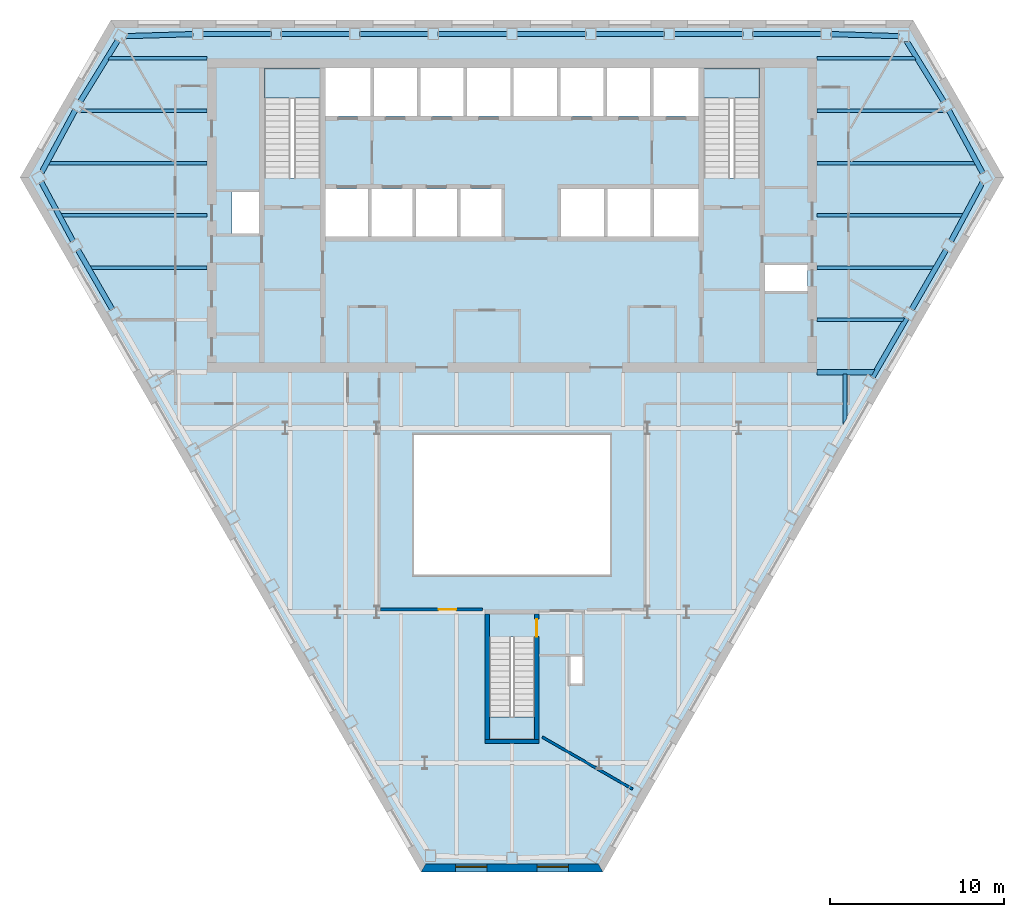
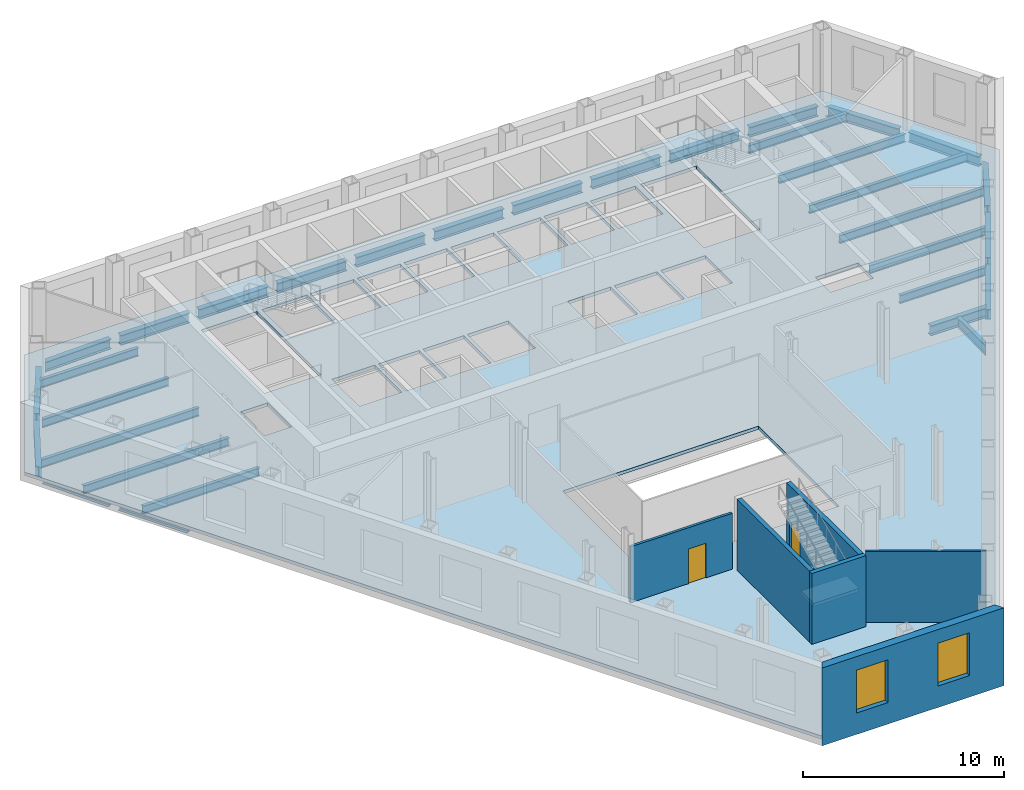
# One storey, part 3 of 11: 32 beams, 6 walls, 4 slabs, 2 doors, 2 windows, 4 openings, 3 elements without a shape of their own.
"""IFC4 building model written with IfcOpenShell, lengths in metres."""

from ifc_helpers import new_model, si_unit, direction, frame, frame_2d, origin, origin_2d, place, context, subcontext, project, spatial, polyline, rectangle, i_section, outline, extrude, clip, halfspace, material, layer, layer_set, material_profile, profile_set, type_object, element, fill, aggregate, save


model = new_model("IFC4")

# Units and contexts
model_context = context("Model", 3, precision=1e-05, world=origin(), true_north=direction((0.0, 1.0)))
body_context = subcontext(model_context, "Body", "Model", "MODEL_VIEW")
ifc_project = project(units=[si_unit("LENGTHUNIT", "METRE"), si_unit("AREAUNIT", "SQUARE_METRE"), si_unit("VOLUMEUNIT", "CUBIC_METRE"), si_unit("PLANEANGLEUNIT", "RADIAN"), si_unit("MASSUNIT", "GRAM", prefix="KILO")], contexts=[model_context])

# Site, building, storey
site_placement = place(None, origin())
site = spatial("IfcSite", under=ifc_project, at=site_placement, CompositionType="ELEMENT")
building_placement = place(site_placement, origin())
building = spatial("IfcBuilding", under=site, at=building_placement, Name="Njiva Tower", CompositionType="ELEMENT")
storey_placement = place(building_placement, frame((0.0, 0.0, 93.3)))
storey = spatial("IfcBuildingStorey", under=building, at=storey_placement, Name="L19", CompositionType="ELEMENT", Elevation=93.3)

# Beams
ifc_material_1 = material(Name="Steel S355 J2", Category="steel")
ifc_material_profile_1 = material_profile(ifc_material_1, i_section(OverallWidth=0.22, OverallDepth=0.6, WebThickness=0.012, FlangeThickness=0.019, at=origin_2d()), Name="IPE 600")
ifc_profile_set_1 = profile_set([ifc_material_profile_1], Name="Steel S355 J2")
beam_type_1 = type_object("IfcBeamType", Name="B14 Short-span floor joist IPE 600", PredefinedType="JOIST", material=ifc_profile_set_1)
beam_1_placement = place(storey_placement, frame((19.1, -0.1, -0.5), z_axis=(0.0, -1.0, 0.0), x_axis=(1.0, 0.0, 0.0)))
element("IfcBeam", 1, at=beam_1_placement, inside=storey, type_object=beam_type_1, Name="Short-span floor joist S06-B086", PredefinedType="JOIST", context=body_context, shape_type="Clipping", body=[
    clip(extrude(i_section(OverallWidth=0.22, OverallDepth=0.6, WebThickness=0.012, FlangeThickness=0.019, at=origin_2d()), origin(), (0.0, 0.0, 1.0), 2.923), halfspace(frame((0.0433, 0.0, 2.6366), z_axis=(0.866026552831, 0.0, 0.499998009787), x_axis=(0.0, 1.0, 0.0)), False)),
])
ifc_material_profile_2 = material_profile(ifc_material_1, i_section(OverallWidth=0.3, OverallDepth=0.6, WebThickness=0.0155, FlangeThickness=0.03, at=origin_2d()), Name="HEB 600")
ifc_profile_set_2 = profile_set([ifc_material_profile_2], Name="Steel S355 J2")
beam_type_2 = type_object("IfcBeamType", Name="B21 Short-span floor girder HEB 600", PredefinedType="BEAM", material=ifc_profile_set_2)
beam_2_placement = place(storey_placement, frame((17.5, 0.0, -0.5), z_axis=(1.0, 0.0, 0.0), x_axis=(0.0, 1.0, 0.0)))
element("IfcBeam", 2, at=beam_2_placement, inside=storey, type_object=beam_type_2, Name="Short-span floor girder S06-B027", PredefinedType="BEAM", context=body_context, shape_type="Clipping", body=[
    clip(extrude(i_section(OverallWidth=0.3, OverallDepth=0.6, WebThickness=0.0155, FlangeThickness=0.03, at=origin_2d()), origin(), (0.0, 0.0, 1.0), 3.33), halfspace(frame((-0.025, 0.0, 3.2089), z_axis=(-0.499998009787, 0.0, 0.866026552831), x_axis=(0.0, 1.0, 0.0)), False)),
])
ifc_material_profile_3 = material_profile(ifc_material_1, i_section(OverallWidth=0.2, OverallDepth=0.5, WebThickness=0.0102, FlangeThickness=0.016, at=origin_2d()), Name="IPE 500")
ifc_profile_set_3 = profile_set([ifc_material_profile_3], Name="Steel S355 J2")
beam_type_3 = type_object("IfcBeamType", Name="B24 Floor beam to the core IPE 500", PredefinedType="BEAM", material=ifc_profile_set_3)
beam_3_placement = place(storey_placement, frame((17.5, 3.0, -0.45), z_axis=(1.0, 0.0, 0.0), x_axis=(0.0, 1.0, 0.0)))
element("IfcBeam", 3, at=beam_3_placement, inside=storey, type_object=beam_type_3, Name="Floor beam to the core S06-B008", PredefinedType="BEAM", context=body_context, shape_type="Clipping", body=[
    clip(extrude(i_section(OverallWidth=0.2, OverallDepth=0.5, WebThickness=0.0102, FlangeThickness=0.016, at=origin_2d()), origin(), (0.0, 0.0, 1.0), 5.033), halfspace(frame((-0.025, 0.0, 4.9409), z_axis=(-0.499998009787, 0.0, 0.866026552831), x_axis=(0.0, 1.0, 0.0)), False)),
])
beam_4_placement = place(storey_placement, frame((-24.265, 6.0, -0.45), z_axis=(1.0, 0.0, 0.0), x_axis=(0.0, 1.0, 0.0)))
element("IfcBeam", 4, at=beam_4_placement, inside=storey, type_object=beam_type_3, Name="Floor beam to the core S06-B004", PredefinedType="BEAM", context=body_context, shape_type="Clipping", body=[
    clip(extrude(i_section(OverallWidth=0.2, OverallDepth=0.5, WebThickness=0.0102, FlangeThickness=0.016, at=origin_2d()), origin(), (0.0, 0.0, 1.0), 6.765), halfspace(frame((-0.025, 0.0, 0.092), z_axis=(-0.499998009787, 0.0, -0.866026552831), x_axis=(0.0, -1.0, 0.0)), False)),
])
beam_5_placement = place(storey_placement, frame((17.5, 6.0, -0.45), z_axis=(1.0, 0.0, 0.0), x_axis=(0.0, 1.0, 0.0)))
element("IfcBeam", 5, at=beam_5_placement, inside=storey, type_object=beam_type_3, Name="Floor beam to the core S06-B010", PredefinedType="BEAM", context=body_context, shape_type="Clipping", body=[
    clip(extrude(i_section(OverallWidth=0.2, OverallDepth=0.5, WebThickness=0.0102, FlangeThickness=0.016, at=origin_2d()), origin(), (0.0, 0.0, 1.0), 6.765), halfspace(frame((-0.025, 0.0, 6.673), z_axis=(-0.499998009787, 0.0, 0.866026552831), x_axis=(0.0, 1.0, 0.0)), False)),
])
beam_6_placement = place(storey_placement, frame((-25.927, 9.0, -0.45), z_axis=(1.0, 0.0, 0.0), x_axis=(0.0, 1.0, 0.0)))
element("IfcBeam", 6, at=beam_6_placement, inside=storey, type_object=beam_type_3, Name="Floor beam to the core S06-B002", PredefinedType="BEAM", context=body_context, shape_type="Clipping", body=[
    clip(extrude(i_section(OverallWidth=0.2, OverallDepth=0.5, WebThickness=0.0102, FlangeThickness=0.016, at=origin_2d()), origin(), (0.0, 0.0, 1.0), 8.427), halfspace(frame((-0.0237, 0.0, 0.0867), z_axis=(-0.47376166762, 0.0, -0.88065309986), x_axis=(0.0, -1.0, 0.0)), False)),
])
beam_7_placement = place(storey_placement, frame((17.5, 9.0, -0.45), z_axis=(1.0, 0.0, 0.0), x_axis=(0.0, 1.0, 0.0)))
element("IfcBeam", 7, at=beam_7_placement, inside=storey, type_object=beam_type_3, Name="Floor beam to the core S06-B011", PredefinedType="BEAM", context=body_context, shape_type="Clipping", body=[
    clip(extrude(i_section(OverallWidth=0.2, OverallDepth=0.5, WebThickness=0.0102, FlangeThickness=0.016, at=origin_2d()), origin(), (0.0, 0.0, 1.0), 8.427), halfspace(frame((-0.0237, 0.0, 8.3403), z_axis=(-0.47376166762, 0.0, 0.88065309986), x_axis=(0.0, 1.0, 0.0)), False)),
])
beam_8_placement = place(storey_placement, frame((-26.643, 12.0, -0.45), z_axis=(1.0, 0.0, 0.0), x_axis=(0.0, 1.0, 0.0)))
element("IfcBeam", 8, at=beam_8_placement, inside=storey, type_object=beam_type_3, Name="Floor beam to the core S06-B001", PredefinedType="BEAM", context=body_context, shape_type="Clipping", body=[
    clip(extrude(i_section(OverallWidth=0.2, OverallDepth=0.5, WebThickness=0.0102, FlangeThickness=0.016, at=origin_2d()), origin(), (0.0, 0.0, 1.0), 9.143), halfspace(frame((0.0238, 0.0, 0.0866), z_axis=(0.475159753962, 0.0, -0.879899544388), x_axis=(0.0, -1.0, 0.0)), False)),
])
beam_9_placement = place(storey_placement, frame((17.5, 12.0, -0.45), z_axis=(1.0, 0.0, 0.0), x_axis=(0.0, 1.0, 0.0)))
element("IfcBeam", 9, at=beam_9_placement, inside=storey, type_object=beam_type_3, Name="Floor beam to the core S06-B012", PredefinedType="BEAM", context=body_context, shape_type="Clipping", body=[
    clip(extrude(i_section(OverallWidth=0.2, OverallDepth=0.5, WebThickness=0.0102, FlangeThickness=0.016, at=origin_2d()), origin(), (0.0, 0.0, 1.0), 9.143), halfspace(frame((0.0238, 0.0, 9.0564), z_axis=(0.475159753962, 0.0, 0.879899544388), x_axis=(0.0, 1.0, 0.0)), False)),
])
beam_10_placement = place(storey_placement, frame((-24.806, 15.0, -0.45), z_axis=(1.0, 0.0, 0.0), x_axis=(0.0, 1.0, 0.0)))
element("IfcBeam", 10, at=beam_10_placement, inside=storey, type_object=beam_type_3, Name="Floor beam to the core S06-B003", PredefinedType="BEAM", context=body_context, shape_type="Clipping", body=[
    clip(extrude(i_section(OverallWidth=0.2, OverallDepth=0.5, WebThickness=0.0102, FlangeThickness=0.016, at=origin_2d()), origin(), (0.0, 0.0, 1.0), 7.306), halfspace(frame((0.025, 0.0, 0.0929), z_axis=(0.499998009787, 0.0, -0.866026552831), x_axis=(0.0, -1.0, 0.0)), False)),
])
beam_11_placement = place(storey_placement, frame((17.5, 15.0, -0.45), z_axis=(1.0, 0.0, 0.0), x_axis=(0.0, 1.0, 0.0)))
element("IfcBeam", 11, at=beam_11_placement, inside=storey, type_object=beam_type_3, Name="Floor beam to the core S06-B013", PredefinedType="BEAM", context=body_context, shape_type="Clipping", body=[
    clip(extrude(i_section(OverallWidth=0.2, OverallDepth=0.5, WebThickness=0.0102, FlangeThickness=0.016, at=origin_2d()), origin(), (0.0, 0.0, 1.0), 7.306), halfspace(frame((0.025, 0.0, 7.2131), z_axis=(0.499998009787, 0.0, 0.866026552831), x_axis=(0.0, 1.0, 0.0)), False)),
])
beam_12_placement = place(storey_placement, frame((-23.201, 18.0, -0.45), z_axis=(1.0, 0.0, 0.0), x_axis=(0.0, 1.0, 0.0)))
element("IfcBeam", 12, at=beam_12_placement, inside=storey, type_object=beam_type_3, Name="Floor beam to the core S06-B005", PredefinedType="BEAM", context=body_context, shape_type="Clipping", body=[
    clip(extrude(i_section(OverallWidth=0.2, OverallDepth=0.5, WebThickness=0.0102, FlangeThickness=0.016, at=origin_2d()), origin(), (0.0, 0.0, 1.0), 5.701), halfspace(frame((0.0262, 0.0, 0.098), z_axis=(0.524438842014, 0.0, -0.851448119962), x_axis=(0.0, -1.0, 0.0)), False)),
])
beam_13_placement = place(storey_placement, frame((17.5, 18.0, -0.45), z_axis=(1.0, 0.0, 0.0), x_axis=(0.0, 1.0, 0.0)))
element("IfcBeam", 13, at=beam_13_placement, inside=storey, type_object=beam_type_3, Name="Floor beam to the core S06-B014", PredefinedType="BEAM", context=body_context, shape_type="Clipping", body=[
    clip(extrude(i_section(OverallWidth=0.2, OverallDepth=0.5, WebThickness=0.0102, FlangeThickness=0.016, at=origin_2d()), origin(), (0.0, 0.0, 1.0), 5.701), halfspace(frame((0.0262, 0.0, 5.603), z_axis=(0.524438842014, 0.0, 0.851448119962), x_axis=(0.0, 1.0, 0.0)), False)),
])
ifc_material_profile_4 = material_profile(ifc_material_1, i_section(OverallWidth=0.3, OverallDepth=0.6, WebThickness=0.0155, FlangeThickness=0.03, at=origin_2d()), Name="HEB 600")
ifc_profile_set_4 = profile_set([ifc_material_profile_4], Name="Steel S355 J2")
beam_type_4 = type_object("IfcBeamType", Name="B3 Short-span spandrel beam HEB 600", PredefinedType="SPANDREL", material=ifc_profile_set_4)
beam_14_placement = place(storey_placement, frame((22.177, 19.275, -0.5), z_axis=(-0.999543780598, 0.030203156593, 0.0), x_axis=(-0.030203156593, -0.999543780598, 0.0)))
element("IfcBeam", 14, at=beam_14_placement, inside=storey, type_object=beam_type_4, Name="Short-span spandrel beam S06-B144", PredefinedType="SPANDREL", context=body_context, shape_type="SweptSolid", body=[
    extrude(i_section(OverallWidth=0.3, OverallDepth=0.6, WebThickness=0.0155, FlangeThickness=0.03, at=origin_2d()), origin(), (0.0, 0.0, 1.0), 3.8738),
])
beam_15_placement = place(storey_placement, frame((17.751, 19.4, -0.5), z_axis=(-1.0, 0.0, 0.0), x_axis=(0.0, -1.0, 0.0)))
element("IfcBeam", 15, at=beam_15_placement, inside=storey, type_object=beam_type_4, Name="Short-span spandrel beam S06-B138", PredefinedType="SPANDREL", context=body_context, shape_type="SweptSolid", body=[
    extrude(i_section(OverallWidth=0.3, OverallDepth=0.6, WebThickness=0.0155, FlangeThickness=0.03, at=origin_2d()), origin(), (0.0, 0.0, 1.0), 3.956),
])
beam_16_placement = place(storey_placement, frame((13.245, 19.4, -0.5), z_axis=(-1.0, 0.0, 0.0), x_axis=(0.0, -1.0, 0.0)))
element("IfcBeam", 16, at=beam_16_placement, inside=storey, type_object=beam_type_4, Name="Short-span spandrel beam S06-B133", PredefinedType="SPANDREL", context=body_context, shape_type="SweptSolid", body=[
    extrude(i_section(OverallWidth=0.3, OverallDepth=0.6, WebThickness=0.0155, FlangeThickness=0.03, at=origin_2d()), origin(), (0.0, 0.0, 1.0), 3.957),
])
beam_17_placement = place(storey_placement, frame((8.738, 19.4, -0.5), z_axis=(-1.0, 0.0, 0.0), x_axis=(0.0, -1.0, 0.0)))
element("IfcBeam", 17, at=beam_17_placement, inside=storey, type_object=beam_type_4, Name="Short-span spandrel beam S06-B129", PredefinedType="SPANDREL", context=body_context, shape_type="SweptSolid", body=[
    extrude(i_section(OverallWidth=0.3, OverallDepth=0.6, WebThickness=0.0155, FlangeThickness=0.03, at=origin_2d()), origin(), (0.0, 0.0, 1.0), 3.956),
])
for number, where, z_axis, x_axis, name in (
    (18, (4.232, 19.4, -0.5), (-1.0, 0.0, 0.0), (0.0, -1.0, 0.0), "Short-span spandrel beam S06-B125"),
    (19, (-0.275, 19.4, -0.5), (-1.0, 0.0, 0.0), (0.0, -1.0, 0.0), "Short-span spandrel beam S06-B124"),
):
    element("IfcBeam", number, at=place(storey_placement, frame(where, z_axis=z_axis, x_axis=x_axis)), inside=storey, type_object=beam_type_4, Name=name, PredefinedType="SPANDREL", context=body_context, shape_type="SweptSolid", body=[
        extrude(i_section(OverallWidth=0.3, OverallDepth=0.6, WebThickness=0.0155, FlangeThickness=0.03, at=origin_2d()), origin(), (0.0, 0.0, 1.0), 3.957),
    ])
beam_18_placement = place(storey_placement, frame((-4.782, 19.4, -0.5), z_axis=(-1.0, 0.0, 0.0), x_axis=(0.0, -1.0, 0.0)))
element("IfcBeam", 20, at=beam_18_placement, inside=storey, type_object=beam_type_4, Name="Short-span spandrel beam S06-B119", PredefinedType="SPANDREL", context=body_context, shape_type="SweptSolid", body=[
    extrude(i_section(OverallWidth=0.3, OverallDepth=0.6, WebThickness=0.0155, FlangeThickness=0.03, at=origin_2d()), origin(), (0.0, 0.0, 1.0), 3.956),
])
beam_19_placement = place(storey_placement, frame((-9.288, 19.4, -0.5), z_axis=(-1.0, 0.0, 0.0), x_axis=(0.0, -1.0, 0.0)))
element("IfcBeam", 21, at=beam_19_placement, inside=storey, type_object=beam_type_4, Name="Short-span spandrel beam S06-B114", PredefinedType="SPANDREL", context=body_context, shape_type="SweptSolid", body=[
    extrude(i_section(OverallWidth=0.3, OverallDepth=0.6, WebThickness=0.0155, FlangeThickness=0.03, at=origin_2d()), origin(), (0.0, 0.0, 1.0), 3.957),
])
beam_20_placement = place(storey_placement, frame((-13.795, 19.4, -0.5), z_axis=(-1.0, 0.0, 0.0), x_axis=(0.0, -1.0, 0.0)))
element("IfcBeam", 22, at=beam_20_placement, inside=storey, type_object=beam_type_4, Name="Short-span spandrel beam S06-B109", PredefinedType="SPANDREL", context=body_context, shape_type="SweptSolid", body=[
    extrude(i_section(OverallWidth=0.3, OverallDepth=0.6, WebThickness=0.0155, FlangeThickness=0.03, at=origin_2d()), origin(), (0.0, 0.0, 1.0), 3.956),
])
beam_21_placement = place(storey_placement, frame((-18.305, 19.392, -0.5), z_axis=(-0.999542144167, -0.030257264169, 0.0), x_axis=(0.030257264169, -0.999542144167, 0.0)))
element("IfcBeam", 23, at=beam_21_placement, inside=storey, type_object=beam_type_4, Name="Short-span spandrel beam S06-B103", PredefinedType="SPANDREL", context=body_context, shape_type="Clipping", body=[
    clip(extrude(i_section(OverallWidth=0.3, OverallDepth=0.6, WebThickness=0.0155, FlangeThickness=0.03, at=origin_2d()), origin(), (0.0, 0.0, 1.0), 3.9137), halfspace(frame((-0.0268, 0.0, 3.784), z_axis=(-0.525972676968, 0.0, 0.850501465656), x_axis=(0.0, 1.0, 0.0)), False)),
])
beam_22_placement = place(storey_placement, frame((-22.602, 19.03, -0.5), z_axis=(-0.524381711278, -0.851483306282, 0.0), x_axis=(0.851483306282, -0.524381711278, 0.0)))
element("IfcBeam", 24, at=beam_22_placement, inside=storey, type_object=beam_type_4, Name="Short-span spandrel beam S06-B099", PredefinedType="SPANDREL", context=body_context, shape_type="SweptSolid", body=[
    extrude(i_section(OverallWidth=0.3, OverallDepth=0.6, WebThickness=0.0155, FlangeThickness=0.03, at=origin_2d()), origin(), (0.0, 0.0, 1.0), 4.121),
])
beam_23_placement = place(storey_placement, frame((-25.042, 15.039, -0.5), z_axis=(-0.475057104316, -0.879954969097, 0.0), x_axis=(0.879954969097, -0.475057104316, 0.0)))
element("IfcBeam", 25, at=beam_23_placement, inside=storey, type_object=beam_type_4, Name="Short-span spandrel beam S06-B095", PredefinedType="SPANDREL", context=body_context, shape_type="Clipping", body=[
    clip(extrude(i_section(OverallWidth=0.3, OverallDepth=0.6, WebThickness=0.0155, FlangeThickness=0.03, at=origin_2d()), origin(), (0.0, 0.0, 1.0), 4.1599), halfspace(frame((-0.0265, 0.0, 4.0321), z_axis=(-0.524536761841, 0.0, 0.8513877997), x_axis=(0.0, 1.0, 0.0)), False)),
])
beam_24_placement = place(storey_placement, frame((-27.0, 10.922, -0.5), z_axis=(0.473761074189, -0.880653419106, 0.0), x_axis=(0.880653419106, 0.473761074189, 0.0)))
element("IfcBeam", 26, at=beam_24_placement, inside=storey, type_object=beam_type_4, Name="Short-span spandrel beam S06-B094", PredefinedType="SPANDREL", context=body_context, shape_type="SweptSolid", body=[
    extrude(i_section(OverallWidth=0.3, OverallDepth=0.6, WebThickness=0.0155, FlangeThickness=0.03, at=origin_2d()), origin(), (0.0, 0.0, 1.0), 3.8733),
])
beam_25_placement = place(storey_placement, frame((-24.896, 7.027, -0.5), z_axis=(0.500079715141, -0.865979375335, 0.0), x_axis=(0.865979375335, 0.500079715141, 0.0)))
element("IfcBeam", 27, at=beam_25_placement, inside=storey, type_object=beam_type_4, Name="Short-span spandrel beam S06-B097", PredefinedType="SPANDREL", context=body_context, shape_type="SweptSolid", body=[
    extrude(i_section(OverallWidth=0.3, OverallDepth=0.6, WebThickness=0.0155, FlangeThickness=0.03, at=origin_2d()), origin(), (0.0, 0.0, 1.0), 3.9574),
])
beam_26_placement = place(storey_placement, frame((20.664, -0.303, -0.5), z_axis=(0.499890179513, 0.866088799389, 0.0), x_axis=(-0.866088799389, 0.499890179513, 0.0)))
element("IfcBeam", 28, at=beam_26_placement, inside=storey, type_object=beam_type_4, Name="Short-span spandrel beam S06-B149", PredefinedType="SPANDREL", context=body_context, shape_type="SweptSolid", body=[
    extrude(i_section(OverallWidth=0.3, OverallDepth=0.6, WebThickness=0.0155, FlangeThickness=0.03, at=origin_2d()), origin(), (0.0, 0.0, 1.0), 3.9569),
])
beam_27_placement = place(storey_placement, frame((22.917, 3.6, -0.5), z_axis=(0.500079715141, 0.865979375335, 0.0), x_axis=(-0.865979375335, 0.500079715141, 0.0)))
element("IfcBeam", 29, at=beam_27_placement, inside=storey, type_object=beam_type_4, Name="Short-span spandrel beam S06-B152", PredefinedType="SPANDREL", context=body_context, shape_type="SweptSolid", body=[
    extrude(i_section(OverallWidth=0.3, OverallDepth=0.6, WebThickness=0.0155, FlangeThickness=0.03, at=origin_2d()), origin(), (0.0, 0.0, 1.0), 3.9574),
])
beam_28_placement = place(storey_placement, frame((25.165, 7.511, -0.5), z_axis=(0.473958577477, 0.88054714061, 0.0), x_axis=(-0.88054714061, 0.473958577477, 0.0)))
element("IfcBeam", 30, at=beam_28_placement, inside=storey, type_object=beam_type_4, Name="Short-span spandrel beam S06-B156", PredefinedType="SPANDREL", context=body_context, shape_type="Clipping", body=[
    clip(extrude(i_section(OverallWidth=0.3, OverallDepth=0.6, WebThickness=0.0155, FlangeThickness=0.03, at=origin_2d()), origin(), (0.0, 0.0, 1.0), 3.9129), halfspace(frame((-0.0259, 0.0, 3.7834), z_axis=(-0.525598859328, 0.0, 0.850732530866), x_axis=(0.0, 1.0, 0.0)), False)),
])
beam_29_placement = place(storey_placement, frame((27.0, 11.412, -0.5), z_axis=(-0.475039963556, 0.879964222582, 0.0), x_axis=(-0.879964222582, -0.475039963556, 0.0)))
element("IfcBeam", 31, at=beam_29_placement, inside=storey, type_object=beam_type_4, Name="Short-span spandrel beam S06-B153", PredefinedType="SPANDREL", context=body_context, shape_type="SweptSolid", body=[
    extrude(i_section(OverallWidth=0.3, OverallDepth=0.6, WebThickness=0.0155, FlangeThickness=0.03, at=origin_2d()), origin(), (0.0, 0.0, 1.0), 4.1218),
])
beam_30_placement = place(storey_placement, frame((24.763, 15.521, -0.5), z_axis=(-0.524345563629, 0.851505566572, 0.0), x_axis=(-0.851505566572, -0.524345563629, 0.0)))
element("IfcBeam", 32, at=beam_30_placement, inside=storey, type_object=beam_type_4, Name="Short-span spandrel beam S06-B150", PredefinedType="SPANDREL", context=body_context, shape_type="Clipping", body=[
    clip(extrude(i_section(OverallWidth=0.3, OverallDepth=0.6, WebThickness=0.0155, FlangeThickness=0.03, at=origin_2d()), origin(), (0.0, 0.0, 1.0), 4.1589), halfspace(frame((-0.0262, 0.0, 4.0308), z_axis=(-0.524345563629, 0.0, 0.851505566572), x_axis=(0.0, 1.0, 0.0)), False)),
])

# Stair, slab
ifc_material_2 = material(Name="Concrete C40/50", Category="concrete")
stair_type_1 = type_object("IfcStairType", Name="ST4 Exit stair 1500", PredefinedType="HALF_TURN_STAIR", material=ifc_material_2)
stair_1_placement = place(storey_placement, origin())
stair_1 = element("IfcStair", 33, at=stair_1_placement, inside=storey, type_object=stair_type_1, Name="Stair A", PredefinedType="HALF_TURN_STAIR")
ifc_layer_1 = layer(ifc_material_2, 0.2)
ifc_layer_set_1 = layer_set([ifc_layer_1], Name="Concrete C40/50")
slab_type_1 = type_object("IfcSlabType", Name="FL9 Stair landing 200", PredefinedType="LANDING", material=ifc_layer_set_1)
slab_1_placement = place(storey_placement, frame((0.0, 0.0, 2.05)))
slab_1 = element("IfcSlab", 34, at=slab_1_placement, type_object=slab_type_1, Name="ST-A landing 1", PredefinedType="LANDING", context=body_context, shape_type="SweptSolid", body=[
    extrude(outline(polyline([(-14.206, 15.72), (-10.994, 15.72), (-10.994, 17.45), (-14.206, 17.45), (-14.206, 15.72)])), origin(), (0.0, 0.0, 1.0), 0.2),
])
aggregate(stair_1, [slab_1])

stair_2_placement = place(storey_placement, origin())
stair_2 = element("IfcStair", 35, at=stair_2_placement, inside=storey, type_object=stair_type_1, Name="Stair B", PredefinedType="HALF_TURN_STAIR")
slab_2_placement = place(storey_placement, frame((0.0, 0.0, 2.05)))
slab_2 = element("IfcSlab", 36, at=slab_2_placement, type_object=slab_type_1, Name="ST-B landing 1", PredefinedType="LANDING", context=body_context, shape_type="SweptSolid", body=[
    extrude(outline(polyline([(10.994, 15.72), (14.206, 15.72), (14.206, 17.45), (10.994, 17.45), (10.994, 15.72)])), origin(), (0.0, 0.0, 1.0), 0.2),
])
aggregate(stair_2, [slab_2])

stair_type_2 = type_object("IfcStairType", Name="ST1 Exit stair 1250", PredefinedType="HALF_TURN_STAIR", material=ifc_material_2)
stair_3_placement = place(storey_placement, origin())
stair_3 = element("IfcStair", 37, at=stair_3_placement, inside=storey, type_object=stair_type_2, Name="Stair C", PredefinedType="HALF_TURN_STAIR")
slab_3_placement = place(storey_placement, frame((0.0, 0.0, 2.05)))
slab_3 = element("IfcSlab", 38, at=slab_3_placement, type_object=slab_type_1, Name="ST-C landing 1", PredefinedType="LANDING", context=body_context, shape_type="SweptSolid", body=[
    extrude(outline(polyline([(-1.306, -21.05), (1.306, -21.05), (1.306, -19.78), (-1.306, -19.78), (-1.306, -21.05)])), origin(), (0.0, 0.0, 1.0), 0.2),
])
aggregate(stair_3, [slab_3])

# Slab
ifc_material_3 = material(Name="Concrete C30/37", Category="concrete")
ifc_layer_2 = layer(ifc_material_3, 0.2)
ifc_layer_set_2 = layer_set([ifc_layer_2], Name="Concrete C30/37")
slab_type_2 = type_object("IfcSlabType", Name="SL16 Composite floor slab 200", PredefinedType="FLOOR", material=ifc_layer_set_2)
slab_4_placement = place(storey_placement, frame((0.0, 0.0, -0.2)))
element("IfcSlab", 39, at=slab_4_placement, inside=storey, type_object=slab_type_2, Name="Floor slab L19", PredefinedType="FLOOR", context=body_context, shape_type="SweptSolid", body=[
    extrude(outline(polyline([(27.9502, 11.1674), (5.0851, -28.4362), (-5.0851, -28.4362), (-27.9502, 11.1674), (-22.8651, 19.975), (22.8651, 19.975), (27.9502, 11.1674)]), holes=[polyline([(14.5, 4.65), (16.95, 4.65), (16.95, 6.15), (14.5, 6.15), (14.5, 4.65)]), polyline([(10.994, 17.45), (10.994, 11.13), (14.206, 11.13), (14.206, 17.45), (10.994, 17.45)]), polyline([(8.125, 17.45), (8.125, 14.7), (10.7, 14.7), (10.7, 17.45), (8.125, 17.45)]), polyline([(8.1333, 7.8), (10.7, 7.8), (10.7, 10.5), (8.1333, 10.5), (8.1333, 7.8)]), polyline([(5.4667, 10.5), (5.4667, 7.8), (7.9333, 7.8), (7.9333, 10.5), (5.4667, 10.5)]), polyline([(5.45, 17.45), (5.45, 14.7), (7.925, 14.7), (7.925, 17.45), (5.45, 17.45)]), polyline([(5.61, -11.6), (5.61, -3.6), (-5.61, -3.6), (-5.61, -11.6), (5.61, -11.6)]), polyline([(2.8, 10.5), (2.8, 7.8), (5.2667, 7.8), (5.2667, 10.5), (2.8, 10.5)]), polyline([(2.775, 14.7), (5.25, 14.7), (5.25, 17.45), (2.775, 17.45), (2.775, 14.7)]), polyline([(3.35, -17.85), (4.05, -17.85), (4.05, -16.3), (3.35, -16.3), (3.35, -17.85)]), polyline([(0.1, 17.45), (0.1, 14.7), (2.575, 14.7), (2.575, 17.45), (0.1, 17.45)]), polyline([(-1.306, -21.05), (1.306, -21.05), (1.306, -15.19), (-1.306, -15.19), (-1.306, -21.05)]), polyline([(-2.575, 17.45), (-2.575, 14.7), (-0.1, 14.7), (-0.1, 17.45), (-2.575, 17.45)]), polyline([(-2.95, 7.8), (-0.6, 7.8), (-0.6, 10.5), (-2.95, 10.5), (-2.95, 7.8)]), polyline([(-5.25, 17.45), (-5.25, 14.7), (-2.775, 14.7), (-2.775, 17.45), (-5.25, 17.45)]), polyline([(-5.5, 10.5), (-5.5, 7.8), (-3.15, 7.8), (-3.15, 10.5), (-5.5, 10.5)]), polyline([(-7.925, 14.7), (-5.45, 14.7), (-5.45, 17.45), (-7.925, 17.45), (-7.925, 14.7)]), polyline([(-8.05, 10.5), (-8.05, 7.8), (-5.7, 7.8), (-5.7, 10.5), (-8.05, 10.5)]), polyline([(-10.7, 17.45), (-10.7, 14.7), (-8.125, 14.7), (-8.125, 17.45), (-10.7, 17.45)]), polyline([(-10.7, 7.8), (-8.25, 7.8), (-8.25, 10.5), (-10.7, 10.5), (-10.7, 7.8)]), polyline([(-14.206, 17.45), (-14.206, 11.13), (-10.994, 11.13), (-10.994, 17.45), (-14.206, 17.45)]), polyline([(-14.5, 10.3319), (-16.05, 10.3319), (-16.05, 7.95), (-14.5, 7.95), (-14.5, 10.3319)])]), origin(), (0.0, 0.0, 1.0), 0.2),
])

# Wall, opening, door
ifc_material_4 = material(Name="Gypsum board on steel studs", Category="gypsum")
ifc_layer_3 = layer(ifc_material_4, 0.15)
ifc_layer_set_3 = layer_set([ifc_layer_3], Name="Gypsum board on steel studs")
wall_type_1 = type_object("IfcWallType", Name="WT21 Compartment wall 150", PredefinedType="PARTITIONING", material=ifc_layer_set_3)
wall_1_placement = place(storey_placement, frame((-7.535, -13.6, 0.0), z_axis=(0.0, 0.0, 1.0), x_axis=(1.0, 0.0, 0.0)))
wall_1 = element("IfcWall", 40, at=wall_1_placement, inside=storey, type_object=wall_type_1, Name="Partition S06-P014", PredefinedType="PARTITIONING", context=body_context, shape_type="SweptSolid", body=[
    extrude(rectangle(XDim=5.835, YDim=0.15, at=frame_2d((2.9175, 0.0))), origin(), (0.0, 0.0, 1.0), 3.39),
])
opening_1_placement = place(wall_1_placement, frame((3.324, 0.0, 0.0)))
opening_1 = element("IfcOpeningElement", 41, at=opening_1_placement, cuts=wall_1, Name="Opening S06-D009", PredefinedType="OPENING", context=body_context, shape_type="SweptSolid", body=[
    extrude(rectangle(XDim=1.0, YDim=2.1, at=frame_2d((0.5, 1.05))), frame((0.0, 0.085, 0.0), z_axis=(0.0, -1.0, 0.0), x_axis=(1.0, 0.0, 0.0)), (0.0, 0.0, 1.0), 0.17),
])
ifc_material_5 = material(Name="Steel fire door set", Category="steel")
door_type_1 = type_object("IfcDoorType", Name="D37 Fire door 1000x2100", OperationType="SINGLE_SWING_LEFT", PredefinedType="DOOR", material=ifc_material_5)
door_1_placement = place(opening_1_placement, origin())
door_1 = element("IfcDoor", 42, at=door_1_placement, inside=storey, type_object=door_type_1, Name="Door S06-D009", OperationType="SINGLE_SWING_RIGHT", OverallHeight=2.1, OverallWidth=1.0, PredefinedType="DOOR", context=body_context, shape_type="SweptSolid", body=[
    extrude(rectangle(XDim=1.0, YDim=2.1, at=frame_2d((0.5, 1.05))), frame((0.0, 0.025, 0.0), z_axis=(0.0, -1.0, 0.0), x_axis=(1.0, 0.0, 0.0)), (0.0, 0.0, 1.0), 0.05),
])
fill(opening_1, door_1)

# Walls
wall_2_placement = place(storey_placement, frame((1.737, -20.916, 0.0), z_axis=(0.0, 0.0, 1.0), x_axis=(0.866168895605, -0.499751382476, 0.0)))
element("IfcWall", 43, at=wall_2_placement, inside=storey, type_object=wall_type_1, Name="Partition S06-P015", PredefinedType="PARTITIONING", context=body_context, shape_type="SweptSolid", body=[
    extrude(rectangle(XDim=5.985, YDim=0.15, at=frame_2d((2.9925, 0.0))), origin(), (0.0, 0.0, 1.0), 4.3),
])
ifc_layer_4 = layer(ifc_material_2, 0.25)
ifc_layer_set_4 = layer_set([ifc_layer_4], Name="Concrete C40/50")
wall_type_2 = type_object("IfcWallType", Name="WT9 Stair enclosure wall 250", PredefinedType="SHEAR", material=ifc_layer_set_4)
wall_3_placement = place(storey_placement, frame((-1.425, -21.05, 0.0), z_axis=(0.0, 0.0, 1.0), x_axis=(0.0, 1.0, 0.0)))
element("IfcWall", 44, at=wall_3_placement, inside=storey, type_object=wall_type_2, Name="Stair C wall west", PredefinedType="SHEAR", context=body_context, shape_type="SweptSolid", body=[
    extrude(rectangle(XDim=7.2, YDim=0.25, at=frame_2d((3.6, 0.0))), origin(), (0.0, 0.0, 1.0), 4.3),
])

# Wall, opening, door
wall_4_placement = place(storey_placement, frame((1.425, -21.05, 0.0), z_axis=(0.0, 0.0, 1.0), x_axis=(0.0, 1.0, 0.0)))
wall_4 = element("IfcWall", 45, at=wall_4_placement, inside=storey, type_object=wall_type_2, Name="Stair C wall east", PredefinedType="SHEAR", context=body_context, shape_type="SweptSolid", body=[
    extrude(rectangle(XDim=7.2, YDim=0.25, at=frame_2d((3.6, 0.0))), origin(), (0.0, 0.0, 1.0), 4.3),
])
opening_2_placement = place(wall_4_placement, frame((5.89, 0.0, 0.0)))
opening_2 = element("IfcOpeningElement", 46, at=opening_2_placement, cuts=wall_4, Name="Opening S06-D938", PredefinedType="OPENING", context=body_context, shape_type="SweptSolid", body=[
    extrude(rectangle(XDim=1.0, YDim=2.1, at=frame_2d((0.5, 1.05))), frame((0.0, 0.135, 0.0), z_axis=(0.0, -1.0, 0.0), x_axis=(1.0, 0.0, 0.0)), (0.0, 0.0, 1.0), 0.27),
])
ifc_material_6 = material(Name="Glazed steel fire door", Category="steel")
door_type_2 = type_object("IfcDoorType", Name="D9 Stair vestibule door 1000x2100 glazed", OperationType="SINGLE_SWING_LEFT", PredefinedType="DOOR", material=ifc_material_6)
door_2_placement = place(opening_2_placement, origin())
door_2 = element("IfcDoor", 47, at=door_2_placement, inside=storey, type_object=door_type_2, Name="Stair C door", OperationType="SINGLE_SWING_LEFT", OverallHeight=2.1, OverallWidth=1.0, PredefinedType="DOOR", context=body_context, shape_type="SweptSolid", body=[
    extrude(rectangle(XDim=1.0, YDim=2.1, at=frame_2d((0.5, 1.05))), frame((0.0, 0.025, 0.0), z_axis=(0.0, -1.0, 0.0), x_axis=(1.0, 0.0, 0.0)), (0.0, 0.0, 1.0), 0.05),
])
fill(opening_2, door_2)

# Wall
wall_5_placement = place(storey_placement, frame((-1.55, -21.175, 0.0), z_axis=(0.0, 0.0, 1.0), x_axis=(1.0, 0.0, 0.0)))
element("IfcWall", 48, at=wall_5_placement, inside=storey, type_object=wall_type_2, Name="Stair C wall south", PredefinedType="SHEAR", context=body_context, shape_type="SweptSolid", body=[
    extrude(rectangle(XDim=3.1, YDim=0.25, at=frame_2d((1.55, 0.0))), origin(), (0.0, 0.0, 1.0), 4.3),
])

# Wall, openings, windows
ifc_material_7 = material(Name="Brick masonry, buff", Category="masonry")
ifc_layer_5 = layer(ifc_material_7, 0.45)
ifc_layer_set_5 = layer_set([ifc_layer_5], Name="Brick masonry, buff")
wall_type_3 = type_object("IfcWallType", Name="WT94 Brick pier and spandrel wall 450, buff", PredefinedType="SOLIDWALL", material=ifc_layer_set_5)
wall_6_placement = place(storey_placement, frame((-5.0851, -28.4362, -0.4), z_axis=(0.0, 0.0, 1.0), x_axis=(1.0, 0.0, 0.0)))
wall_6 = element("IfcWall", 49, at=wall_6_placement, inside=storey, type_object=wall_type_3, Name="Facade wall S", PredefinedType="SOLIDWALL", context=body_context, shape_type="SweptSolid", body=[
    extrude(outline(polyline([(-0.1299, -0.225), (10.3001, -0.225), (10.0403, 0.225), (0.1299, 0.225), (-0.1299, -0.225)])), origin(), (0.0, 0.0, 1.0), 4.72),
])
opening_3_placement = place(wall_6_placement, frame((1.8469, 0.0, 1.3)))
opening_3 = element("IfcOpeningElement", 50, at=opening_3_placement, cuts=wall_6, Name="Opening S06-W22", PredefinedType="OPENING", context=body_context, shape_type="SweptSolid", body=[
    extrude(rectangle(XDim=1.8, YDim=2.6, at=frame_2d((0.9, 1.3))), frame((0.0, 0.235, 0.0), z_axis=(0.0, -1.0, 0.0), x_axis=(1.0, 0.0, 0.0)), (0.0, 0.0, 1.0), 0.47),
])
opening_4_placement = place(wall_6_placement, frame((6.5232, 0.0, 1.3)))
opening_4 = element("IfcOpeningElement", 51, at=opening_4_placement, cuts=wall_6, Name="Opening S06-W23", PredefinedType="OPENING", context=body_context, shape_type="SweptSolid", body=[
    extrude(rectangle(XDim=1.8, YDim=2.6, at=frame_2d((0.9, 1.3))), frame((0.0, 0.235, 0.0), z_axis=(0.0, -1.0, 0.0), x_axis=(1.0, 0.0, 0.0)), (0.0, 0.0, 1.0), 0.47),
])
ifc_material_8 = material(Name="Clear glazing in aluminium frame", Category="aluminium")
window_type = type_object("IfcWindowType", Name="W96 Deep-set window 1800x2600", PartitioningType="SINGLE_PANEL", PredefinedType="WINDOW", material=ifc_material_8)
window_1_placement = place(opening_3_placement, origin())
window_1 = element("IfcWindow", 52, at=window_1_placement, inside=storey, type_object=window_type, Name="Window", OverallHeight=2.6, OverallWidth=1.8, PartitioningType="SINGLE_PANEL", PredefinedType="WINDOW", context=body_context, shape_type="SweptSolid", body=[
    extrude(rectangle(XDim=1.8, YDim=2.6, at=frame_2d((0.9, 1.3))), frame((0.0, 0.105, 0.0), z_axis=(0.0, -1.0, 0.0), x_axis=(1.0, 0.0, 0.0)), (0.0, 0.0, 1.0), 0.06),
])
fill(opening_3, window_1)
window_2_placement = place(opening_4_placement, origin())
window_2 = element("IfcWindow", 53, at=window_2_placement, inside=storey, type_object=window_type, Name="Window", OverallHeight=2.6, OverallWidth=1.8, PartitioningType="SINGLE_PANEL", PredefinedType="WINDOW", context=body_context, shape_type="SweptSolid", body=[
    extrude(rectangle(XDim=1.8, YDim=2.6, at=frame_2d((0.9, 1.3))), frame((0.0, 0.105, 0.0), z_axis=(0.0, -1.0, 0.0), x_axis=(1.0, 0.0, 0.0)), (0.0, 0.0, 1.0), 0.06),
])
fill(opening_4, window_2)

save(model, "model.ifc")
